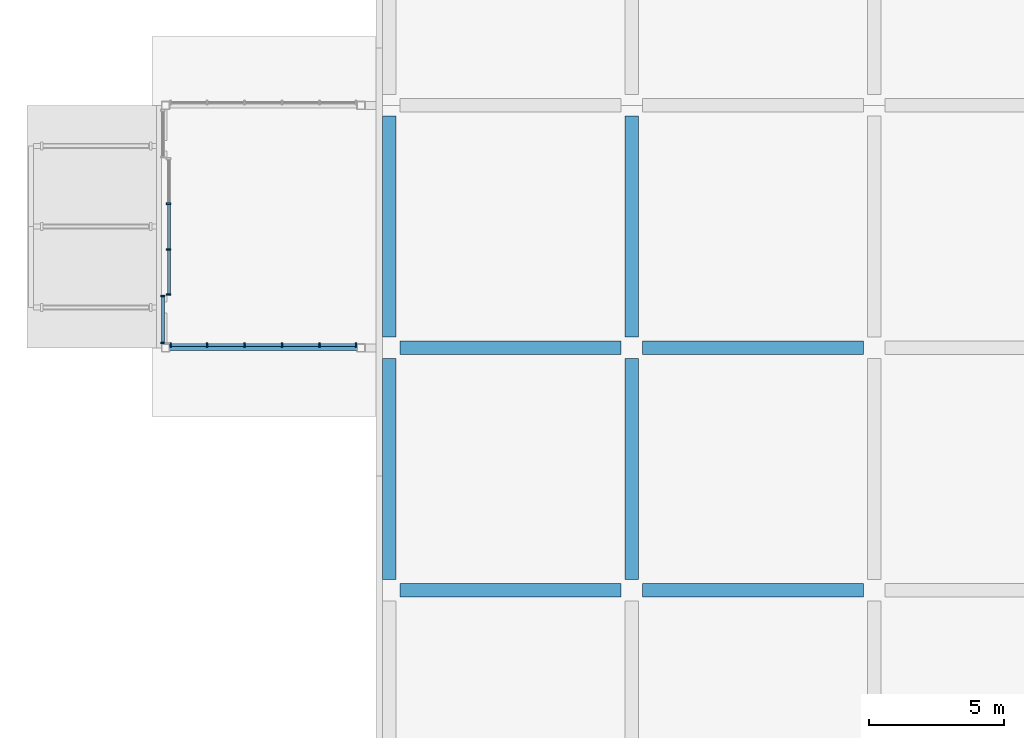
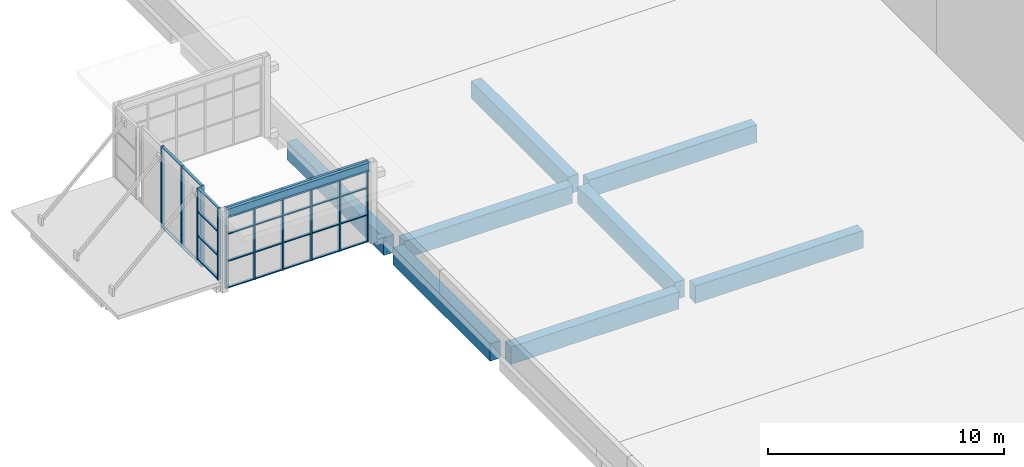
# One storey, part 14 of 182: 39 members, 9 beams, 3 elements without a shape of their own.
"""IFC4 building model written with IfcOpenShell, lengths in metres."""

from ifc_helpers import new_model, si_unit, direction, frame, origin, origin_2d, place, context, subcontext, project, spatial, rectangle, i_section, extrude, material, material_profile, profile_set, type_object, element, aggregate, save


model = new_model("IFC4")

# Units and contexts
model_context = context("Model", 3, precision=1e-05, world=origin(), true_north=direction((0.0, 1.0)))
body_context = subcontext(model_context, "Body", "Model", "MODEL_VIEW")
ifc_project = project(units=[si_unit("LENGTHUNIT", "METRE"), si_unit("AREAUNIT", "SQUARE_METRE"), si_unit("VOLUMEUNIT", "CUBIC_METRE"), si_unit("PLANEANGLEUNIT", "RADIAN"), si_unit("MASSUNIT", "GRAM", prefix="KILO")], contexts=[model_context])

# Site, building, storey
site_placement = place(None, origin())
site = spatial("IfcSite", under=ifc_project, at=site_placement, CompositionType="ELEMENT")
building_placement = place(site_placement, origin())
building = spatial("IfcBuilding", under=site, at=building_placement, Name="Silverbay Arena", CompositionType="ELEMENT")
storey_placement = place(building_placement, frame((0.0, 0.0, 11.5)))
storey = spatial("IfcBuildingStorey", under=building, at=storey_placement, Name="L02", CompositionType="ELEMENT", Elevation=11.5)

# Beam
ifc_material_1 = material(Name="Steel S355", Category="steel")
ifc_material_profile_1 = material_profile(ifc_material_1, i_section(OverallWidth=0.18994140625, OverallDepth=0.453369140625, WebThickness=0.008544921875, FlangeThickness=0.0126953125, at=origin_2d()), Name="UB 457x191x67")
ifc_profile_set_1 = profile_set([ifc_material_profile_1], Name="Steel S355")
beam_type_1 = type_object("IfcBeamType", Name="Hall beam UB 457x191x67", PredefinedType="BEAM", material=ifc_profile_set_1)
beam_placement = place(storey_placement, frame((25.800048828125, 54.0, 3.973388671875), z_axis=(-1.0, 0.0, 0.0), x_axis=(0.0, -1.0, 0.0)))
element("IfcBeam", 1, at=beam_placement, inside=storey, type_object=beam_type_1, Name="West entrance hall W0 transverse beam 1R", PredefinedType="BEAM", context=body_context, shape_type="SweptSolid", body=[
    extrude(i_section(OverallWidth=0.18994140625, OverallDepth=0.453369140625, WebThickness=0.008544921875, FlangeThickness=0.0126953125, at=origin_2d()), origin(), (0.0, 0.0, 1.0), 6.949951171875),
])

# Curtain wall, members
ifc_material_2 = material(Name="Aluminium framed curtain wall", Category="aluminium")
curtain_wall_type_1 = type_object("IfcCurtainWallType", Name="Curtain wall 1800 x 3700", PredefinedType="NOTDEFINED", material=ifc_material_2)
curtain_wall_1_placement = place(storey_placement, origin())
curtain_wall_1 = element("IfcCurtainWall", 2, at=curtain_wall_1_placement, inside=storey, type_object=curtain_wall_type_1, Name="West entrance hall W0 glazing F0a", PredefinedType="NOTDEFINED")
ifc_material_3 = material(Name="Aluminium", Category="aluminium")
ifc_material_profile_2 = material_profile(ifc_material_3, rectangle(XDim=0.159912109375, YDim=0.06005859375, at=origin_2d()), Name="Mullion 60 x 160")
ifc_profile_set_2 = profile_set([ifc_material_profile_2], Name="Aluminium")
member_type_1 = type_object("IfcMemberType", Name="Mullion 60 x 160", PredefinedType="MULLION", material=ifc_profile_set_2)
member_1_placement = place(storey_placement, frame((18.590087890625, 54.179931640625, 0.5), z_axis=(0.0, 0.0, 1.0), x_axis=(-1.0, 0.0, 0.0)))
member_1 = element("IfcMember", 3, at=member_1_placement, type_object=member_type_1, Name="CW50 mullion 1", PredefinedType="MULLION", context=body_context, shape_type="SweptSolid", body=[
    extrude(rectangle(XDim=0.159912109375, YDim=0.06005859375, at=origin_2d()), origin(), (0.0, 0.0, 1.0), 3.699951171875),
])
member_2_placement = place(storey_placement, frame((18.590087890625, 55.919921875, 0.5), z_axis=(0.0, 0.0, 1.0), x_axis=(-1.0, 0.0, 0.0)))
member_2 = element("IfcMember", 4, at=member_2_placement, type_object=member_type_1, Name="CW50 mullion 2", PredefinedType="MULLION", context=body_context, shape_type="SweptSolid", body=[
    extrude(rectangle(XDim=0.159912109375, YDim=0.06005859375, at=origin_2d()), origin(), (0.0, 0.0, 1.0), 3.699951171875),
])

ifc_material_4 = material(Name="Aluminium framed curtain wall", Category="aluminium")
curtain_wall_type_2 = type_object("IfcCurtainWallType", Name="Curtain wall 6950 x 4200", PredefinedType="NOTDEFINED", material=ifc_material_4)
curtain_wall_2_placement = place(storey_placement, origin())
curtain_wall_2 = element("IfcCurtainWall", 5, at=curtain_wall_2_placement, inside=storey, type_object=curtain_wall_type_2, Name="West entrance hall W0 glazing SA", PredefinedType="NOTDEFINED")
member_3_placement = place(storey_placement, frame((18.8798828125, 54.110107421875, 0.0), z_axis=(0.0, 0.0, 1.0), x_axis=(0.0, 1.0, 0.0)))
member_3 = element("IfcMember", 6, at=member_3_placement, type_object=member_type_1, Name="CW52 mullion 1", PredefinedType="MULLION", context=body_context, shape_type="SweptSolid", body=[
    extrude(rectangle(XDim=0.159912109375, YDim=0.06005859375, at=origin_2d()), origin(), (0.0, 0.0, 1.0), 4.199951171875),
])
member_4_placement = place(storey_placement, frame((20.239990234375, 54.110107421875, 0.0), z_axis=(0.0, 0.0, 1.0), x_axis=(0.0, 1.0, 0.0)))
member_4 = element("IfcMember", 7, at=member_4_placement, type_object=member_type_1, Name="CW52 mullion 2", PredefinedType="MULLION", context=body_context, shape_type="SweptSolid", body=[
    extrude(rectangle(XDim=0.159912109375, YDim=0.06005859375, at=origin_2d()), origin(), (0.0, 0.0, 1.0), 4.199951171875),
])
member_5_placement = place(storey_placement, frame((21.6298828125, 54.110107421875, 0.0), z_axis=(0.0, 0.0, 1.0), x_axis=(0.0, 1.0, 0.0)))
member_5 = element("IfcMember", 8, at=member_5_placement, type_object=member_type_1, Name="CW52 mullion 3", PredefinedType="MULLION", context=body_context, shape_type="SweptSolid", body=[
    extrude(rectangle(XDim=0.159912109375, YDim=0.06005859375, at=origin_2d()), origin(), (0.0, 0.0, 1.0), 4.199951171875),
])
member_6_placement = place(storey_placement, frame((23.02001953125, 54.110107421875, 0.0), z_axis=(0.0, 0.0, 1.0), x_axis=(0.0, 1.0, 0.0)))
member_6 = element("IfcMember", 9, at=member_6_placement, type_object=member_type_1, Name="CW52 mullion 4", PredefinedType="MULLION", context=body_context, shape_type="SweptSolid", body=[
    extrude(rectangle(XDim=0.159912109375, YDim=0.06005859375, at=origin_2d()), origin(), (0.0, 0.0, 1.0), 4.199951171875),
])
member_7_placement = place(storey_placement, frame((24.409912109375, 54.110107421875, 0.0), z_axis=(0.0, 0.0, 1.0), x_axis=(0.0, 1.0, 0.0)))
member_7 = element("IfcMember", 10, at=member_7_placement, type_object=member_type_1, Name="CW52 mullion 5", PredefinedType="MULLION", context=body_context, shape_type="SweptSolid", body=[
    extrude(rectangle(XDim=0.159912109375, YDim=0.06005859375, at=origin_2d()), origin(), (0.0, 0.0, 1.0), 4.199951171875),
])
member_8_placement = place(storey_placement, frame((25.77001953125, 54.110107421875, 0.0), z_axis=(0.0, 0.0, 1.0), x_axis=(0.0, 1.0, 0.0)))
member_8 = element("IfcMember", 11, at=member_8_placement, type_object=member_type_1, Name="CW52 mullion 6", PredefinedType="MULLION", context=body_context, shape_type="SweptSolid", body=[
    extrude(rectangle(XDim=0.159912109375, YDim=0.06005859375, at=origin_2d()), origin(), (0.0, 0.0, 1.0), 4.199951171875),
])

ifc_material_5 = material(Name="Aluminium framed curtain wall", Category="aluminium")
curtain_wall_type_3 = type_object("IfcCurtainWallType", Name="Curtain wall 5100 x 4200", PredefinedType="NOTDEFINED", material=ifc_material_5)
curtain_wall_3_placement = place(storey_placement, origin())
curtain_wall_3 = element("IfcCurtainWall", 12, at=curtain_wall_3_placement, inside=storey, type_object=curtain_wall_type_3, Name="West entrance hall W0 glazing over the door", PredefinedType="NOTDEFINED")
member_9_placement = place(storey_placement, frame((18.81005859375, 59.35009765625, 0.0), z_axis=(0.0, 0.0, 1.0), x_axis=(1.0, 0.0, 0.0)))
member_9 = element("IfcMember", 13, at=member_9_placement, type_object=member_type_1, Name="CW53 mullion 2", PredefinedType="MULLION", context=body_context, shape_type="SweptSolid", body=[
    extrude(rectangle(XDim=0.159912109375, YDim=0.06005859375, at=origin_2d()), origin(), (0.0, 0.0, 1.0), 4.199951171875),
])
member_10_placement = place(storey_placement, frame((18.81005859375, 57.64990234375, 0.0), z_axis=(0.0, 0.0, 1.0), x_axis=(1.0, 0.0, 0.0)))
member_10 = element("IfcMember", 14, at=member_10_placement, type_object=member_type_1, Name="CW53 mullion 3", PredefinedType="MULLION", context=body_context, shape_type="SweptSolid", body=[
    extrude(rectangle(XDim=0.159912109375, YDim=0.06005859375, at=origin_2d()), origin(), (0.0, 0.0, 1.0), 4.199951171875),
])
member_11_placement = place(storey_placement, frame((18.81005859375, 55.97998046875, 0.0), z_axis=(0.0, 0.0, 1.0), x_axis=(1.0, 0.0, 0.0)))
member_11 = element("IfcMember", 15, at=member_11_placement, type_object=member_type_1, Name="CW53 mullion 4", PredefinedType="MULLION", context=body_context, shape_type="SweptSolid", body=[
    extrude(rectangle(XDim=0.159912109375, YDim=0.06005859375, at=origin_2d()), origin(), (0.0, 0.0, 1.0), 4.199951171875),
])

# Beams
ifc_material_6 = material(Name="Concrete Grade C45", Category="concrete")
ifc_material_profile_3 = material_profile(ifc_material_6, rectangle(XDim=0.5, YDim=0.89990234375, at=origin_2d()), Name="RC 500x900")
ifc_profile_set_3 = profile_set([ifc_material_profile_3], Name="Concrete Grade C45")
beam_type_2 = type_object("IfcBeamType", Name="RC beam 500x900", PredefinedType="BEAM", material=ifc_profile_set_3)
for number, where, z_axis, x_axis, name in (
    (16, (27.39990234375, 45.0, -0.800048828125), (1.0, 0.0, 0.0), (0.0, 1.0, 0.0), "Floor beam L02 027"),
    (17, (36.39990234375, 45.0, -0.800048828125), (1.0, 0.0, 0.0), (0.0, 1.0, 0.0), "Floor beam L02 028"),
    (18, (27.39990234375, 54.0, -0.800048828125), (1.0, 0.0, 0.0), (0.0, 1.0, 0.0), "Floor beam L02 046"),
    (19, (36.39990234375, 54.0, -0.800048828125), (1.0, 0.0, 0.0), (0.0, 1.0, 0.0), "Floor beam L02 047"),
    (20, (27.0, 45.39990234375, -0.800048828125), (0.0, 1.0, 0.0), (-1.0, 0.0, 0.0), "Floor beam L02 182"),
    (21, (27.0, 54.39990234375, -0.800048828125), (0.0, 1.0, 0.0), (-1.0, 0.0, 0.0), "Floor beam L02 183"),
    (22, (36.0, 45.39990234375, -0.800048828125), (0.0, 1.0, 0.0), (-1.0, 0.0, 0.0), "Floor beam L02 192"),
    (23, (36.0, 54.39990234375, -0.800048828125), (0.0, 1.0, 0.0), (-1.0, 0.0, 0.0), "Floor beam L02 193"),
):
    element("IfcBeam", number, at=place(storey_placement, frame(where, z_axis=z_axis, x_axis=x_axis)), inside=storey, type_object=beam_type_2, Name=name, PredefinedType="BEAM", context=body_context, shape_type="SweptSolid", body=[
        extrude(rectangle(XDim=0.5, YDim=0.89990234375, at=origin_2d()), origin(), (0.0, 0.0, 1.0), 8.2001953125),
    ])

# Member
ifc_material_7 = material(Name="Aluminium", Category="aluminium")
ifc_material_profile_4 = material_profile(ifc_material_7, rectangle(XDim=0.1201171875, YDim=0.050048828125, at=origin_2d()), Name="Transom 50 x 120")
ifc_profile_set_4 = profile_set([ifc_material_profile_4], Name="Aluminium")
member_type_2 = type_object("IfcMemberType", Name="Transom 50 x 120", PredefinedType="USERDEFINED", material=ifc_profile_set_4)
member_12_placement = place(storey_placement, frame((18.590087890625, 54.2099609375, 0.52490234375), z_axis=(0.0, 1.0, 0.0), x_axis=(-1.0, 0.0, 0.0)))
member_12 = element("IfcMember", 24, at=member_12_placement, type_object=member_type_2, Name="CW50 transom 1.1", ObjectType="TRANSOM", PredefinedType="USERDEFINED", context=body_context, shape_type="SweptSolid", body=[
    extrude(rectangle(XDim=0.1201171875, YDim=0.050048828125, at=origin_2d()), origin(), (0.0, 0.0, 1.0), 1.679931640625),
])

member_13_placement = place(storey_placement, frame((18.590087890625, 54.2099609375, 1.7333984375), z_axis=(0.0, 1.0, 0.0), x_axis=(-1.0, 0.0, 0.0)))
member_13 = element("IfcMember", 25, at=member_13_placement, type_object=member_type_2, Name="CW50 transom 1.2", ObjectType="TRANSOM", PredefinedType="USERDEFINED", context=body_context, shape_type="SweptSolid", body=[
    extrude(rectangle(XDim=0.1201171875, YDim=0.050048828125, at=origin_2d()), origin(), (0.0, 0.0, 1.0), 1.679931640625),
])

member_14_placement = place(storey_placement, frame((18.590087890625, 54.2099609375, 2.966552734375), z_axis=(0.0, 1.0, 0.0), x_axis=(-1.0, 0.0, 0.0)))
member_14 = element("IfcMember", 26, at=member_14_placement, type_object=member_type_2, Name="CW50 transom 1.3", ObjectType="TRANSOM", PredefinedType="USERDEFINED", context=body_context, shape_type="SweptSolid", body=[
    extrude(rectangle(XDim=0.1201171875, YDim=0.050048828125, at=origin_2d()), origin(), (0.0, 0.0, 1.0), 1.679931640625),
])

member_15_placement = place(storey_placement, frame((18.590087890625, 54.2099609375, 4.175048828125), z_axis=(0.0, 1.0, 0.0), x_axis=(-1.0, 0.0, 0.0)))
member_15 = element("IfcMember", 27, at=member_15_placement, type_object=member_type_2, Name="CW50 transom 1.4", ObjectType="TRANSOM", PredefinedType="USERDEFINED", context=body_context, shape_type="SweptSolid", body=[
    extrude(rectangle(XDim=0.1201171875, YDim=0.050048828125, at=origin_2d()), origin(), (0.0, 0.0, 1.0), 1.679931640625),
])

aggregate(curtain_wall_1, [member_1, member_2, member_12, member_13, member_14, member_15])

member_16_placement = place(storey_placement, frame((18.909912109375, 54.110107421875, 0.02490234375), z_axis=(1.0, 0.0, 0.0), x_axis=(0.0, 1.0, 0.0)))
member_16 = element("IfcMember", 28, at=member_16_placement, type_object=member_type_2, Name="CW52 transom 1.1", ObjectType="TRANSOM", PredefinedType="USERDEFINED", context=body_context, shape_type="SweptSolid", body=[
    extrude(rectangle(XDim=0.1201171875, YDim=0.050048828125, at=origin_2d()), origin(), (0.0, 0.0, 1.0), 1.300048828125),
])

member_17_placement = place(storey_placement, frame((18.909912109375, 54.110107421875, 1.39990234375), z_axis=(1.0, 0.0, 0.0), x_axis=(0.0, 1.0, 0.0)))
member_17 = element("IfcMember", 29, at=member_17_placement, type_object=member_type_2, Name="CW52 transom 1.2", ObjectType="TRANSOM", PredefinedType="USERDEFINED", context=body_context, shape_type="SweptSolid", body=[
    extrude(rectangle(XDim=0.1201171875, YDim=0.050048828125, at=origin_2d()), origin(), (0.0, 0.0, 1.0), 1.300048828125),
])

member_18_placement = place(storey_placement, frame((18.909912109375, 54.110107421875, 2.800048828125), z_axis=(1.0, 0.0, 0.0), x_axis=(0.0, 1.0, 0.0)))
member_18 = element("IfcMember", 30, at=member_18_placement, type_object=member_type_2, Name="CW52 transom 1.3", ObjectType="TRANSOM", PredefinedType="USERDEFINED", context=body_context, shape_type="SweptSolid", body=[
    extrude(rectangle(XDim=0.1201171875, YDim=0.050048828125, at=origin_2d()), origin(), (0.0, 0.0, 1.0), 1.300048828125),
])

member_19_placement = place(storey_placement, frame((18.909912109375, 54.110107421875, 4.175048828125), z_axis=(1.0, 0.0, 0.0), x_axis=(0.0, 1.0, 0.0)))
member_19 = element("IfcMember", 31, at=member_19_placement, type_object=member_type_2, Name="CW52 transom 1.4", ObjectType="TRANSOM", PredefinedType="USERDEFINED", context=body_context, shape_type="SweptSolid", body=[
    extrude(rectangle(XDim=0.1201171875, YDim=0.050048828125, at=origin_2d()), origin(), (0.0, 0.0, 1.0), 1.300048828125),
])

member_20_placement = place(storey_placement, frame((20.27001953125, 54.110107421875, 0.02490234375), z_axis=(1.0, 0.0, 0.0), x_axis=(0.0, 1.0, 0.0)))
member_20 = element("IfcMember", 32, at=member_20_placement, type_object=member_type_2, Name="CW52 transom 2.1", ObjectType="TRANSOM", PredefinedType="USERDEFINED", context=body_context, shape_type="SweptSolid", body=[
    extrude(rectangle(XDim=0.1201171875, YDim=0.050048828125, at=origin_2d()), origin(), (0.0, 0.0, 1.0), 1.330078125),
])

member_21_placement = place(storey_placement, frame((20.27001953125, 54.110107421875, 1.39990234375), z_axis=(1.0, 0.0, 0.0), x_axis=(0.0, 1.0, 0.0)))
member_21 = element("IfcMember", 33, at=member_21_placement, type_object=member_type_2, Name="CW52 transom 2.2", ObjectType="TRANSOM", PredefinedType="USERDEFINED", context=body_context, shape_type="SweptSolid", body=[
    extrude(rectangle(XDim=0.1201171875, YDim=0.050048828125, at=origin_2d()), origin(), (0.0, 0.0, 1.0), 1.330078125),
])

member_22_placement = place(storey_placement, frame((20.27001953125, 54.110107421875, 2.800048828125), z_axis=(1.0, 0.0, 0.0), x_axis=(0.0, 1.0, 0.0)))
member_22 = element("IfcMember", 34, at=member_22_placement, type_object=member_type_2, Name="CW52 transom 2.3", ObjectType="TRANSOM", PredefinedType="USERDEFINED", context=body_context, shape_type="SweptSolid", body=[
    extrude(rectangle(XDim=0.1201171875, YDim=0.050048828125, at=origin_2d()), origin(), (0.0, 0.0, 1.0), 1.330078125),
])

member_23_placement = place(storey_placement, frame((20.27001953125, 54.110107421875, 4.175048828125), z_axis=(1.0, 0.0, 0.0), x_axis=(0.0, 1.0, 0.0)))
member_23 = element("IfcMember", 35, at=member_23_placement, type_object=member_type_2, Name="CW52 transom 2.4", ObjectType="TRANSOM", PredefinedType="USERDEFINED", context=body_context, shape_type="SweptSolid", body=[
    extrude(rectangle(XDim=0.1201171875, YDim=0.050048828125, at=origin_2d()), origin(), (0.0, 0.0, 1.0), 1.330078125),
])

member_24_placement = place(storey_placement, frame((21.659912109375, 54.110107421875, 0.02490234375), z_axis=(1.0, 0.0, 0.0), x_axis=(0.0, 1.0, 0.0)))
member_24 = element("IfcMember", 36, at=member_24_placement, type_object=member_type_2, Name="CW52 transom 3.1", ObjectType="TRANSOM", PredefinedType="USERDEFINED", context=body_context, shape_type="SweptSolid", body=[
    extrude(rectangle(XDim=0.1201171875, YDim=0.050048828125, at=origin_2d()), origin(), (0.0, 0.0, 1.0), 1.330078125),
])

member_25_placement = place(storey_placement, frame((21.659912109375, 54.110107421875, 1.39990234375), z_axis=(1.0, 0.0, 0.0), x_axis=(0.0, 1.0, 0.0)))
member_25 = element("IfcMember", 37, at=member_25_placement, type_object=member_type_2, Name="CW52 transom 3.2", ObjectType="TRANSOM", PredefinedType="USERDEFINED", context=body_context, shape_type="SweptSolid", body=[
    extrude(rectangle(XDim=0.1201171875, YDim=0.050048828125, at=origin_2d()), origin(), (0.0, 0.0, 1.0), 1.330078125),
])

member_26_placement = place(storey_placement, frame((21.659912109375, 54.110107421875, 2.800048828125), z_axis=(1.0, 0.0, 0.0), x_axis=(0.0, 1.0, 0.0)))
member_26 = element("IfcMember", 38, at=member_26_placement, type_object=member_type_2, Name="CW52 transom 3.3", ObjectType="TRANSOM", PredefinedType="USERDEFINED", context=body_context, shape_type="SweptSolid", body=[
    extrude(rectangle(XDim=0.1201171875, YDim=0.050048828125, at=origin_2d()), origin(), (0.0, 0.0, 1.0), 1.330078125),
])

member_27_placement = place(storey_placement, frame((21.659912109375, 54.110107421875, 4.175048828125), z_axis=(1.0, 0.0, 0.0), x_axis=(0.0, 1.0, 0.0)))
member_27 = element("IfcMember", 39, at=member_27_placement, type_object=member_type_2, Name="CW52 transom 3.4", ObjectType="TRANSOM", PredefinedType="USERDEFINED", context=body_context, shape_type="SweptSolid", body=[
    extrude(rectangle(XDim=0.1201171875, YDim=0.050048828125, at=origin_2d()), origin(), (0.0, 0.0, 1.0), 1.330078125),
])

member_28_placement = place(storey_placement, frame((23.050048828125, 54.110107421875, 0.02490234375), z_axis=(1.0, 0.0, 0.0), x_axis=(0.0, 1.0, 0.0)))
member_28 = element("IfcMember", 40, at=member_28_placement, type_object=member_type_2, Name="CW52 transom 4.1", ObjectType="TRANSOM", PredefinedType="USERDEFINED", context=body_context, shape_type="SweptSolid", body=[
    extrude(rectangle(XDim=0.1201171875, YDim=0.050048828125, at=origin_2d()), origin(), (0.0, 0.0, 1.0), 1.329833984375),
])

member_29_placement = place(storey_placement, frame((23.050048828125, 54.110107421875, 1.39990234375), z_axis=(1.0, 0.0, 0.0), x_axis=(0.0, 1.0, 0.0)))
member_29 = element("IfcMember", 41, at=member_29_placement, type_object=member_type_2, Name="CW52 transom 4.2", ObjectType="TRANSOM", PredefinedType="USERDEFINED", context=body_context, shape_type="SweptSolid", body=[
    extrude(rectangle(XDim=0.1201171875, YDim=0.050048828125, at=origin_2d()), origin(), (0.0, 0.0, 1.0), 1.329833984375),
])

member_30_placement = place(storey_placement, frame((23.050048828125, 54.110107421875, 2.800048828125), z_axis=(1.0, 0.0, 0.0), x_axis=(0.0, 1.0, 0.0)))
member_30 = element("IfcMember", 42, at=member_30_placement, type_object=member_type_2, Name="CW52 transom 4.3", ObjectType="TRANSOM", PredefinedType="USERDEFINED", context=body_context, shape_type="SweptSolid", body=[
    extrude(rectangle(XDim=0.1201171875, YDim=0.050048828125, at=origin_2d()), origin(), (0.0, 0.0, 1.0), 1.329833984375),
])

member_31_placement = place(storey_placement, frame((23.050048828125, 54.110107421875, 4.175048828125), z_axis=(1.0, 0.0, 0.0), x_axis=(0.0, 1.0, 0.0)))
member_31 = element("IfcMember", 43, at=member_31_placement, type_object=member_type_2, Name="CW52 transom 4.4", ObjectType="TRANSOM", PredefinedType="USERDEFINED", context=body_context, shape_type="SweptSolid", body=[
    extrude(rectangle(XDim=0.1201171875, YDim=0.050048828125, at=origin_2d()), origin(), (0.0, 0.0, 1.0), 1.329833984375),
])

member_32_placement = place(storey_placement, frame((24.43994140625, 54.110107421875, 0.02490234375), z_axis=(1.0, 0.0, 0.0), x_axis=(0.0, 1.0, 0.0)))
member_32 = element("IfcMember", 44, at=member_32_placement, type_object=member_type_2, Name="CW52 transom 5.1", ObjectType="TRANSOM", PredefinedType="USERDEFINED", context=body_context, shape_type="SweptSolid", body=[
    extrude(rectangle(XDim=0.1201171875, YDim=0.050048828125, at=origin_2d()), origin(), (0.0, 0.0, 1.0), 1.300048828125),
])

member_33_placement = place(storey_placement, frame((24.43994140625, 54.110107421875, 1.39990234375), z_axis=(1.0, 0.0, 0.0), x_axis=(0.0, 1.0, 0.0)))
member_33 = element("IfcMember", 45, at=member_33_placement, type_object=member_type_2, Name="CW52 transom 5.2", ObjectType="TRANSOM", PredefinedType="USERDEFINED", context=body_context, shape_type="SweptSolid", body=[
    extrude(rectangle(XDim=0.1201171875, YDim=0.050048828125, at=origin_2d()), origin(), (0.0, 0.0, 1.0), 1.300048828125),
])

member_34_placement = place(storey_placement, frame((24.43994140625, 54.110107421875, 2.800048828125), z_axis=(1.0, 0.0, 0.0), x_axis=(0.0, 1.0, 0.0)))
member_34 = element("IfcMember", 46, at=member_34_placement, type_object=member_type_2, Name="CW52 transom 5.3", ObjectType="TRANSOM", PredefinedType="USERDEFINED", context=body_context, shape_type="SweptSolid", body=[
    extrude(rectangle(XDim=0.1201171875, YDim=0.050048828125, at=origin_2d()), origin(), (0.0, 0.0, 1.0), 1.300048828125),
])

member_35_placement = place(storey_placement, frame((24.43994140625, 54.110107421875, 4.175048828125), z_axis=(1.0, 0.0, 0.0), x_axis=(0.0, 1.0, 0.0)))
member_35 = element("IfcMember", 47, at=member_35_placement, type_object=member_type_2, Name="CW52 transom 5.4", ObjectType="TRANSOM", PredefinedType="USERDEFINED", context=body_context, shape_type="SweptSolid", body=[
    extrude(rectangle(XDim=0.1201171875, YDim=0.050048828125, at=origin_2d()), origin(), (0.0, 0.0, 1.0), 1.300048828125),
])

aggregate(curtain_wall_2, [member_3, member_4, member_5, member_6, member_7, member_8, member_16, member_17, member_18, member_19, member_20, member_21, member_22, member_23, member_24, member_25, member_26, member_27, member_28, member_29, member_30, member_31, member_32, member_33, member_34, member_35])

member_36_placement = place(storey_placement, frame((18.81005859375, 59.320068359375, 0.02490234375), z_axis=(0.0, -1.0, 0.0), x_axis=(1.0, 0.0, 0.0)))
member_36 = element("IfcMember", 48, at=member_36_placement, type_object=member_type_2, Name="CW53 transom 2.1", ObjectType="TRANSOM", PredefinedType="USERDEFINED", context=body_context, shape_type="SweptSolid", body=[
    extrude(rectangle(XDim=0.1201171875, YDim=0.050048828125, at=origin_2d()), origin(), (0.0, 0.0, 1.0), 1.64013671875),
])

member_37_placement = place(storey_placement, frame((18.81005859375, 59.320068359375, 4.175048828125), z_axis=(0.0, -1.0, 0.0), x_axis=(1.0, 0.0, 0.0)))
member_37 = element("IfcMember", 49, at=member_37_placement, type_object=member_type_2, Name="CW53 transom 2.2", ObjectType="TRANSOM", PredefinedType="USERDEFINED", context=body_context, shape_type="SweptSolid", body=[
    extrude(rectangle(XDim=0.1201171875, YDim=0.050048828125, at=origin_2d()), origin(), (0.0, 0.0, 1.0), 1.64013671875),
])

member_38_placement = place(storey_placement, frame((18.81005859375, 57.6201171875, 0.02490234375), z_axis=(0.0, -1.0, 0.0), x_axis=(1.0, 0.0, 0.0)))
member_38 = element("IfcMember", 50, at=member_38_placement, type_object=member_type_2, Name="CW53 transom 3.1", ObjectType="TRANSOM", PredefinedType="USERDEFINED", context=body_context, shape_type="SweptSolid", body=[
    extrude(rectangle(XDim=0.1201171875, YDim=0.050048828125, at=origin_2d()), origin(), (0.0, 0.0, 1.0), 1.610107421875),
])

member_39_placement = place(storey_placement, frame((18.81005859375, 57.6201171875, 4.175048828125), z_axis=(0.0, -1.0, 0.0), x_axis=(1.0, 0.0, 0.0)))
member_39 = element("IfcMember", 51, at=member_39_placement, type_object=member_type_2, Name="CW53 transom 3.2", ObjectType="TRANSOM", PredefinedType="USERDEFINED", context=body_context, shape_type="SweptSolid", body=[
    extrude(rectangle(XDim=0.1201171875, YDim=0.050048828125, at=origin_2d()), origin(), (0.0, 0.0, 1.0), 1.610107421875),
])

aggregate(curtain_wall_3, [member_9, member_10, member_11, member_36, member_37, member_38, member_39])

save(model, "model.ifc")
